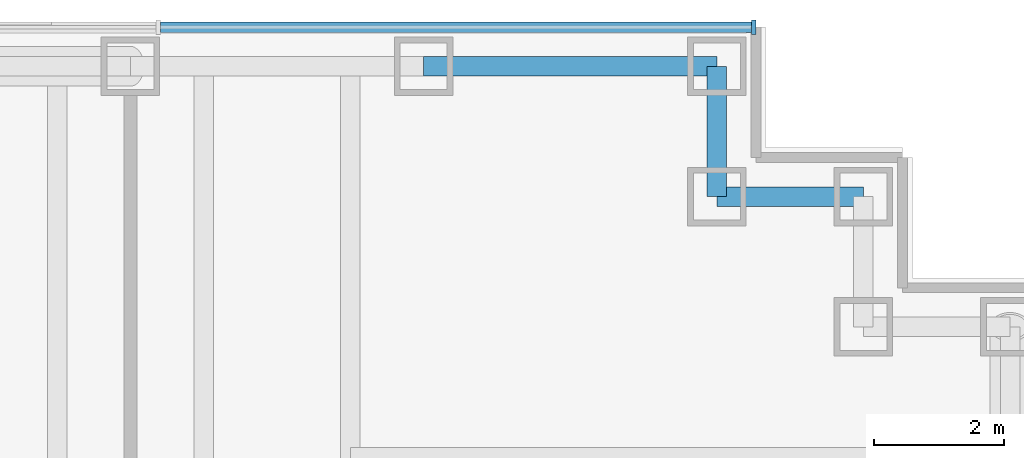
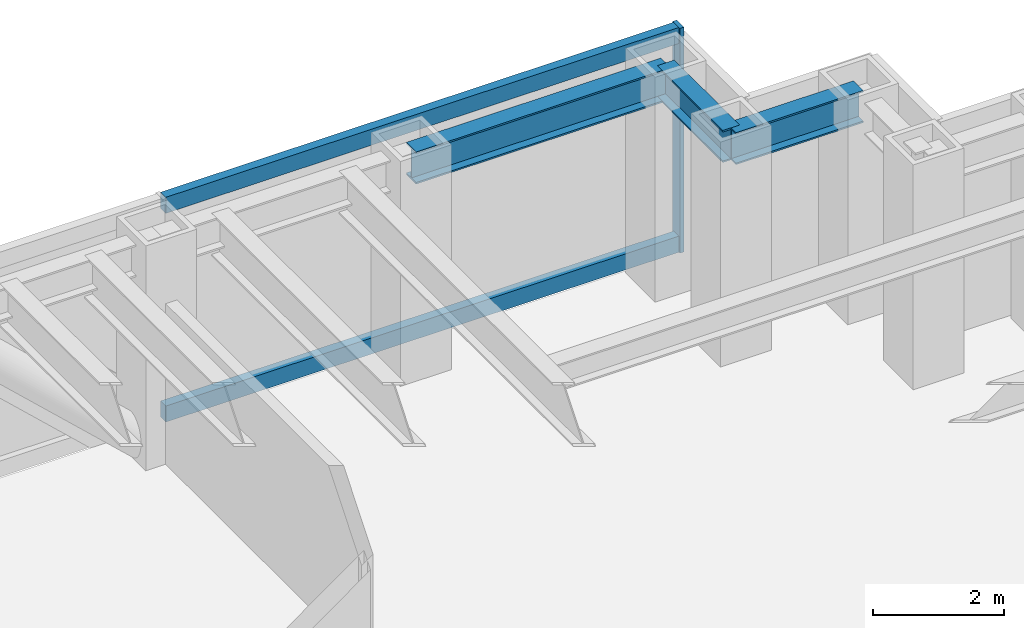
# One storey, part 8 of 14: 3 beams, 3 members, 1 element without a shape of its own.
"""IFC4 building model written with IfcOpenShell, lengths in metres."""

from ifc_helpers import new_model, si_unit, direction, frame, origin, origin_2d, place, context, subcontext, project, spatial, rectangle, i_section, extrude, material, material_profile, profile_set, type_object, element, aggregate, save


model = new_model("IFC4")

# Units and contexts
model_context = context("Model", 3, precision=1e-05, world=origin(), true_north=direction((0.0, 1.0)))
body_context = subcontext(model_context, "Body", "Model", "MODEL_VIEW")
ifc_project = project(units=[si_unit("LENGTHUNIT", "METRE"), si_unit("AREAUNIT", "SQUARE_METRE"), si_unit("VOLUMEUNIT", "CUBIC_METRE"), si_unit("PLANEANGLEUNIT", "RADIAN"), si_unit("MASSUNIT", "GRAM", prefix="KILO")], contexts=[model_context])

# Site, building, storey
site_placement = place(None, origin())
site = spatial("IfcSite", under=ifc_project, at=site_placement, CompositionType="ELEMENT")
building_placement = place(site_placement, origin())
building = spatial("IfcBuilding", under=site, at=building_placement, Name="Rheinbord Bourse Tower", CompositionType="ELEMENT")
storey_placement = place(building_placement, frame((0.0, 0.0, 194.199951171875)))
storey = spatial("IfcBuildingStorey", under=building, at=storey_placement, Name="L43", CompositionType="ELEMENT", Elevation=194.199951171875)

# Curtain wall, members
ifc_material_1 = material(Name="Dark glass and black aluminium", Category="aluminium")
curtain_wall_type = type_object("IfcCurtainWallType", Name="CW2 DARK GLASS CURTAIN WALL", PredefinedType="USERDEFINED", material=ifc_material_1)
curtain_wall_placement = place(storey_placement, origin())
curtain_wall = element("IfcCurtainWall", 1, at=curtain_wall_placement, inside=storey, type_object=curtain_wall_type, Name="Curtain wall CW2 N L43", ObjectType="UNITISED CURTAIN WALL", PredefinedType="USERDEFINED")
ifc_material_2 = material(Name="Black anodised aluminium", Category="aluminium")
ifc_material_profile_1 = material_profile(ifc_material_2, rectangle(XDim=0.219970703125, YDim=0.070068359375, at=origin_2d()), Name="CW2 MULLION 70x220")
ifc_profile_set_1 = profile_set([ifc_material_profile_1], Name="Black anodised aluminium")
member_type_1 = type_object("IfcMemberType", Name="CW2 BLACK MULLION", PredefinedType="MULLION", material=ifc_profile_set_1)
member_1_placement = place(storey_placement, frame((68.06494140625, 44.60009765625, 0.0), z_axis=(0.0, 0.0, 1.0), x_axis=(0.0, -1.0, 0.0)))
member_1 = element("IfcMember", 2, at=member_1_placement, type_object=member_type_1, Name="CW2 mullion 1", PredefinedType="MULLION", context=body_context, shape_type="SweptSolid", body=[
    extrude(rectangle(XDim=0.219970703125, YDim=0.070068359375, at=origin_2d()), origin(), (0.0, 0.0, 1.0), 4.199951171875),
])
ifc_material_3 = material(Name="Black anodised aluminium", Category="aluminium")
ifc_material_profile_2 = material_profile(ifc_material_3, rectangle(XDim=0.159912109375, YDim=0.300048828125, at=origin_2d()), Name="CW2 TRANSOM 300x160")
ifc_profile_set_2 = profile_set([ifc_material_profile_2], Name="Black anodised aluminium")
member_type_2 = type_object("IfcMemberType", Name="CW2 BLACK TRANSOM", PredefinedType="USERDEFINED", material=ifc_profile_set_2)
member_2_placement = place(storey_placement, frame((68.030029296875, 44.60009765625, 0.150146484375), z_axis=(-1.0, 0.0, 0.0), x_axis=(0.0, -1.0, 0.0)))
member_2 = element("IfcMember", 3, at=member_2_placement, type_object=member_type_2, Name="CW2 transom 1.1", ObjectType="TRANSOM", PredefinedType="USERDEFINED", context=body_context, shape_type="SweptSolid", body=[
    extrude(rectangle(XDim=0.159912109375, YDim=0.300048828125, at=origin_2d()), origin(), (0.0, 0.0, 1.0), 9.06640625),
])
member_3_placement = place(storey_placement, frame((68.030029296875, 44.60009765625, 4.050048828125), z_axis=(-1.0, 0.0, 0.0), x_axis=(0.0, -1.0, 0.0)))
member_3 = element("IfcMember", 4, at=member_3_placement, type_object=member_type_2, Name="CW2 transom 1.2", ObjectType="TRANSOM", PredefinedType="USERDEFINED", context=body_context, shape_type="SweptSolid", body=[
    extrude(rectangle(XDim=0.159912109375, YDim=0.300048828125, at=origin_2d()), origin(), (0.0, 0.0, 1.0), 9.06640625),
])
aggregate(curtain_wall, [member_1, member_2, member_3])

# Beams
ifc_material_4 = material(Name="Steel S460", Category="steel")
ifc_material_profile_3 = material_profile(ifc_material_4, i_section(OverallWidth=0.300048828125, OverallDepth=0.60009765625, WebThickness=0.015380859375, FlangeThickness=0.030029296875, at=origin_2d()), Name="HEB 600")
ifc_profile_set_3 = profile_set([ifc_material_profile_3], Name="Steel S460")
beam_type = type_object("IfcBeamType", Name="SPANDREL HEB 600", PredefinedType="SPANDREL", material=ifc_profile_set_3)
beam_1_placement = place(storey_placement, frame((69.75, 42.0, 3.739990234375), z_axis=(-1.0, 0.0, 0.0), x_axis=(0.0, -1.0, 0.0)))
element("IfcBeam", 5, at=beam_1_placement, inside=storey, type_object=beam_type, Name="Spandrel NE-C-NE-D under L44", PredefinedType="SPANDREL", context=body_context, shape_type="SweptSolid", body=[
    extrude(i_section(OverallWidth=0.300048828125, OverallDepth=0.60009765625, WebThickness=0.015380859375, FlangeThickness=0.030029296875, at=origin_2d()), origin(), (0.0, 0.0, 1.0), 2.25),
])
beam_2_placement = place(storey_placement, frame((67.5, 42.0, 3.739990234375), z_axis=(0.0, 1.0, 0.0), x_axis=(-1.0, 0.0, 0.0)))
element("IfcBeam", 6, at=beam_2_placement, inside=storey, type_object=beam_type, Name="Spandrel NE-D-NE-E under L44", PredefinedType="SPANDREL", context=body_context, shape_type="SweptSolid", body=[
    extrude(i_section(OverallWidth=0.300048828125, OverallDepth=0.60009765625, WebThickness=0.015380859375, FlangeThickness=0.030029296875, at=origin_2d()), origin(), (0.0, 0.0, 1.0), 2.0),
])
beam_3_placement = place(storey_placement, frame((67.5, 44.0, 3.739990234375), z_axis=(-1.0, 0.0, 0.0), x_axis=(0.0, -1.0, 0.0)))
element("IfcBeam", 7, at=beam_3_placement, inside=storey, type_object=beam_type, Name="Spandrel NE-E-N-63 under L44", PredefinedType="SPANDREL", context=body_context, shape_type="SweptSolid", body=[
    extrude(i_section(OverallWidth=0.300048828125, OverallDepth=0.60009765625, WebThickness=0.015380859375, FlangeThickness=0.030029296875, at=origin_2d()), origin(), (0.0, 0.0, 1.0), 4.5),
])

save(model, "model.ifc")
